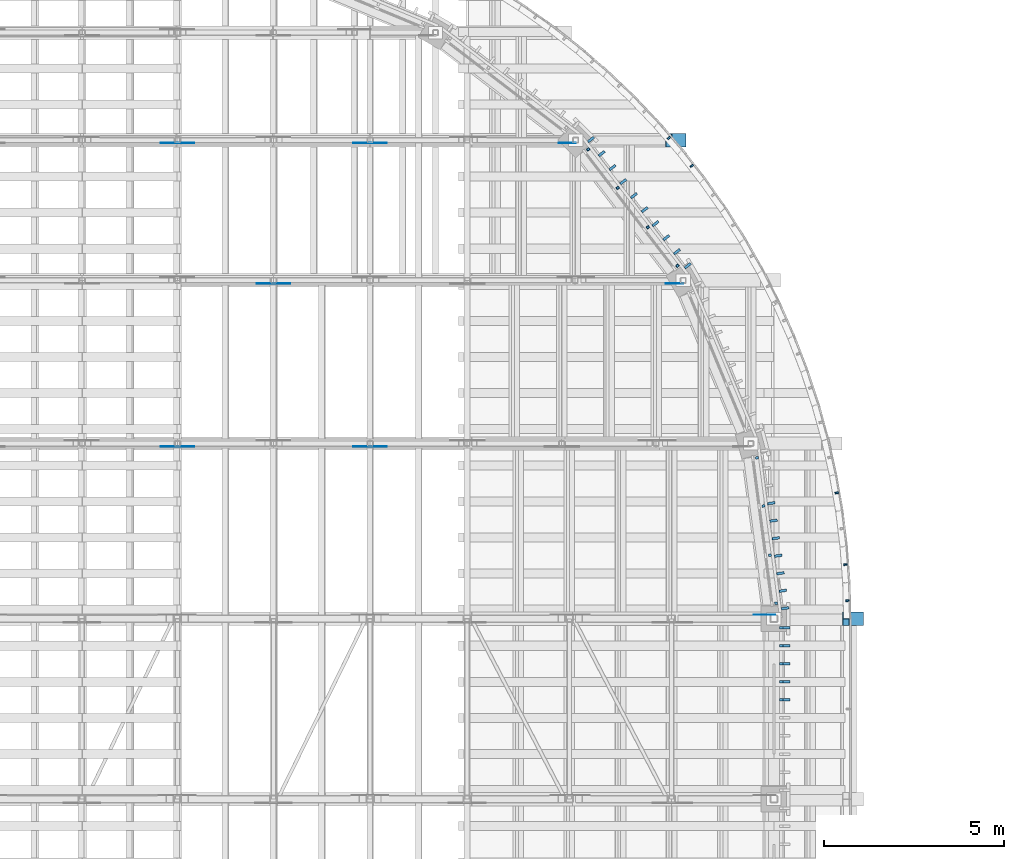
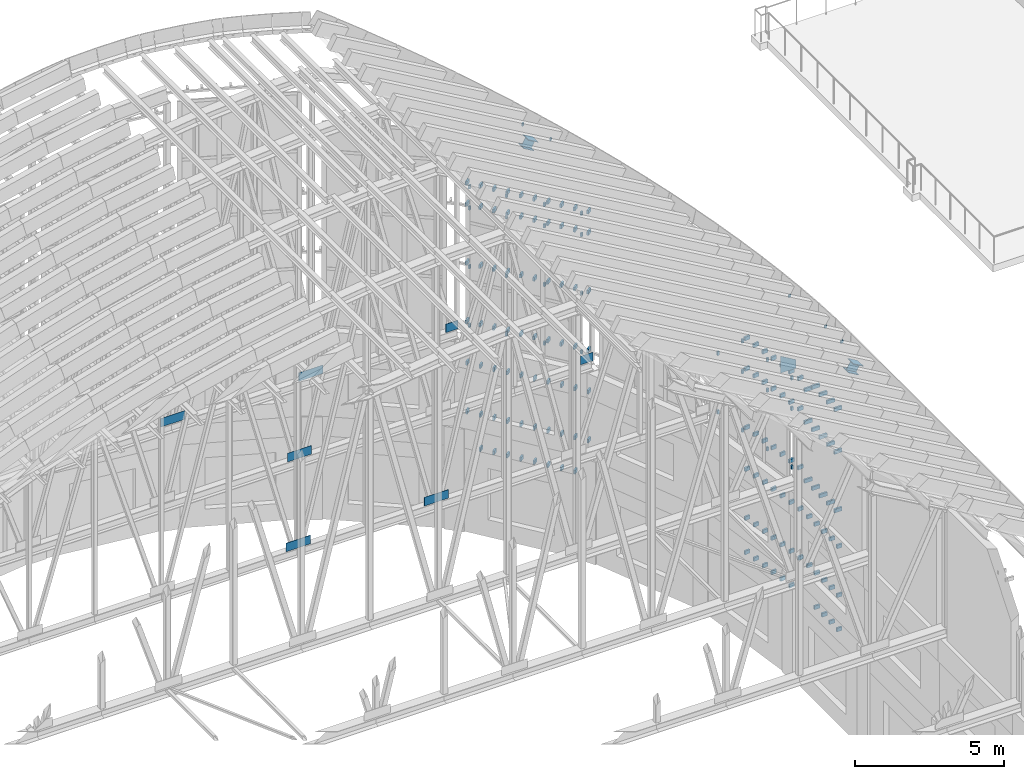
# One storey, part 77 of 105: 180 discrete accessories.
"""IFC4 building model written with IfcOpenShell, lengths in metres."""

import ifcopenshell
import ifcopenshell.guid

model = None  # the IFC model being written
_history = None  # IfcOwnerHistory: only IFC2X3 demands one
_inside = {}  # id of a spatial element -> (the spatial element, [elements in it])
_under = {}  # id of a project, library or spatial element -> (it, [spatial elements below it])
_declared = {}  # id of a project -> (the project, [libraries it declares])
_typed = {}  # id of a type object -> (the type object, [elements of that type])
_made_of = {}  # id of a material, layer set ... -> (it, [elements and type objects made of it])


def new_model(schema):
    """Start an empty IFC model of exactly this schema.

    Asked for "IFC4X3", IfcOpenShell would pick the latest addendum, in which some entities
    have other attributes; the version numbers below select the first issue.
    IFC2X3 requires an IfcOwnerHistory on every rooted entity: one is made here for all.
    """
    global model, _history
    if schema == "IFC4X3":
        model = ifcopenshell.file(schema_version=(4, 3, 0, 0))
    else:
        model = ifcopenshell.file(schema=schema)
    _inside.clear()
    _under.clear()
    _declared.clear()
    _typed.clear()
    _made_of.clear()
    _history = None
    if model.schema == "IFC2X3":
        org = make("IfcOrganization", Name="unknown")
        user = make(
            "IfcPersonAndOrganization",
            ThePerson=make("IfcPerson", FamilyName="unknown"),
            TheOrganization=org,
        )
        app = make(
            "IfcApplication",
            ApplicationDeveloper=org,
            Version="unknown",
            ApplicationFullName="unknown",
            ApplicationIdentifier="unknown",
        )
        _history = make(
            "IfcOwnerHistory",
            OwningUser=user,
            OwningApplication=app,
            ChangeAction="ADDED",
            CreationDate=0,
        )
    return model


def make(cls, **values):
    """One entity of the class cls with the attributes given. An attribute that is None is left unset."""
    return model.create_entity(
        cls, **{name: value for name, value in values.items() if value is not None}
    )


def rooted(cls, **values):
    """An entity with a GlobalId (a new one), such as an element, a storey or a relation."""
    return make(cls, GlobalId=ifcopenshell.guid.new(), OwnerHistory=_history, **values)


def si_unit(unit_type, name, prefix=None):
    """IfcSIUnit, for example si_unit("LENGTHUNIT", "METRE", prefix="MILLI")."""
    return make("IfcSIUnit", UnitType=unit_type, Prefix=prefix, Name=name)


def assignment(units):
    """IfcUnitAssignment: the units of a project."""
    return None if units is None else make("IfcUnitAssignment", Units=units)


def point(xyz):
    """IfcCartesianPoint."""
    return None if xyz is None else make("IfcCartesianPoint", Coordinates=xyz)


def direction(xyz):
    """IfcDirection."""
    return None if xyz is None else make("IfcDirection", DirectionRatios=xyz)


def frame(location, z_axis=None, x_axis=None):
    """IfcAxis2Placement3D, a coordinate frame: its origin and axes. An axis left out is left unset."""
    return make(
        "IfcAxis2Placement3D",
        Location=point(location),
        Axis=direction(z_axis),
        RefDirection=direction(x_axis),
    )


def frame_2d(location, x_axis=None):
    """IfcAxis2Placement2D, a coordinate frame in the plane: its origin and x axis."""
    return make(
        "IfcAxis2Placement2D", Location=point(location), RefDirection=direction(x_axis)
    )


def origin():
    """The frame at (0, 0, 0) with its axes left unset."""
    return frame((0.0, 0.0, 0.0))


def origin_2d():
    """The frame at (0, 0) in the plane with its x axis left unset."""
    return frame_2d((0.0, 0.0))


def place(relative_to, where):
    """IfcLocalPlacement: puts the frame where relative to a parent placement (None: the world)."""
    return make(
        "IfcLocalPlacement", PlacementRelTo=relative_to, RelativePlacement=where
    )


def context(
    kind, dimensions, precision=None, world=None, true_north=None, identifier=None
):
    """IfcGeometricRepresentationContext, for example the 3D "Model" context."""
    return make(
        "IfcGeometricRepresentationContext",
        ContextIdentifier=identifier,
        ContextType=kind,
        CoordinateSpaceDimension=dimensions,
        Precision=precision,
        WorldCoordinateSystem=world,
        TrueNorth=true_north,
    )


def subcontext(parent, identifier, kind, view, scale=None):
    """IfcGeometricRepresentationSubContext, for example "Body" below "Model"."""
    return make(
        "IfcGeometricRepresentationSubContext",
        ContextIdentifier=identifier,
        ContextType=kind,
        ParentContext=parent,
        TargetScale=scale,
        TargetView=view,
    )


def project(units=None, contexts=None):
    """IfcProject with its units and contexts."""
    return rooted(
        "IfcProject",
        Name="project",
        RepresentationContexts=contexts,
        UnitsInContext=assignment(units),
    )


def spatial(cls, under=None, at=None, **own):
    """A site, building, storey or space (cls), placed at a placement, below another one or the project."""
    s = rooted(cls, ObjectPlacement=at, **own)
    if under is not None:
        _under.setdefault(under.id(), (under, []))[1].append(s)
    return s


def polyline(points):
    """IfcPolyline through the points."""
    return make("IfcPolyline", Points=[point(p) for p in points])


def profile(cls, at=None, kind="AREA", **sizes):
    """A parametric profile (cls). Its sizes go by their IFC names, for example OverallWidth=200.0."""
    return make(cls, ProfileType=kind, Position=at, **sizes)


def rectangle(**sizes):
    """IfcRectangleProfileDef."""
    return profile("IfcRectangleProfileDef", **sizes)


def i_section(**sizes):
    """IfcIShapeProfileDef."""
    return profile("IfcIShapeProfileDef", **sizes)


def outline(outer, holes=None, kind="AREA"):
    """IfcArbitraryClosedProfileDef: a profile drawn as a closed curve; with holes, ...WithVoids."""
    if holes is None:
        return make("IfcArbitraryClosedProfileDef", ProfileType=kind, OuterCurve=outer)
    return make(
        "IfcArbitraryProfileDefWithVoids",
        ProfileType=kind,
        OuterCurve=outer,
        InnerCurves=holes,
    )


def extrude(swept, where, along, depth):
    """IfcExtrudedAreaSolid: the profile swept, set in the frame where, extruded along a direction by depth."""
    return make(
        "IfcExtrudedAreaSolid",
        SweptArea=swept,
        Position=where,
        ExtrudedDirection=direction(along),
        Depth=depth,
    )


def shape(context_of_items, identifier, shape_type, items):
    """IfcShapeRepresentation: the items that make up one representation, for example the "Body"."""
    return make(
        "IfcShapeRepresentation",
        ContextOfItems=context_of_items,
        RepresentationIdentifier=identifier,
        RepresentationType=shape_type,
        Items=items,
    )


def material(Name=None, Category=None):
    """IfcMaterial."""
    return make("IfcMaterial", Name=Name, Category=Category)


def material_profile(
    of_material, cross_section, Name=None, Category=None, Priority=None
):
    """IfcMaterialProfile: a cross section and its material."""
    return make(
        "IfcMaterialProfile",
        Name=Name,
        Material=of_material,
        Profile=cross_section,
        Priority=Priority,
        Category=Category,
    )


def profile_set(profiles, Name=None, composite=None):
    """IfcMaterialProfileSet."""
    return make(
        "IfcMaterialProfileSet",
        Name=Name,
        MaterialProfiles=profiles,
        CompositeProfile=composite,
    )


def made_of(thing, what):
    """Note that an element or type object is made of a material, layer set ...; save() writes the relation."""
    if what is not None:
        _made_of.setdefault(what.id(), (what, []))[1].append(thing)
    return thing


def type_object(cls, material=None, **own):
    """A type object (cls), such as IfcWallType, which elements share."""
    return made_of(rooted(cls, **own), material)


def element(
    cls,
    number,
    at=None,
    inside=None,
    cuts=None,
    type_object=None,
    material=None,
    context=None,
    identifier="Body",
    shape_type=None,
    held_by="IfcProductDefinitionShape",
    body=None,
    shapes=None,
    **own,
):
    """One element of the class cls, such as IfcWall. Its Tag is "e" and its number.

    at: its placement. inside: the storey or other place that contains it. cuts: it is an
    opening in that element (IfcRelVoidsElement). A single representation is given by context,
    identifier, shape_type and body (its items); several are given by shapes. held_by: the class
    of the entity that holds the representations. save() writes the other relations.
    """
    e = rooted(cls, Tag="e%d" % number, ObjectPlacement=at, **own)
    if body is not None:
        shapes = [shape(context, identifier, shape_type, body)]
    if shapes is not None:
        e.Representation = make(held_by, Representations=shapes)
    if inside is not None:
        _inside.setdefault(inside.id(), (inside, []))[1].append(e)
    if cuts is not None:
        rooted(
            "IfcRelVoidsElement", RelatingBuildingElement=cuts, RelatedOpeningElement=e
        )
    if type_object is not None:
        _typed.setdefault(type_object.id(), (type_object, []))[1].append(e)
    return made_of(e, material)


def aggregate(whole, parts):
    """IfcRelAggregates: a whole, such as a stair, and the parts it consists of."""
    return rooted("IfcRelAggregates", RelatingObject=whole, RelatedObjects=parts)


def save(model, path):
    """Write the relations noted so far, then the file.

    IfcRelAggregates (storeys below a building ...), IfcRelContainedInSpatialStructure (elements
    in a storey), IfcRelDefinesByType, IfcRelAssociatesMaterial and IfcRelDeclares: one each for
    every whole, place, type object, material and project.
    """
    for whole, parts in _under.values():
        aggregate(whole, parts)
    for where, things in _inside.values():
        rooted(
            "IfcRelContainedInSpatialStructure",
            RelatedElements=things,
            RelatingStructure=where,
        )
    for kind, things in _typed.values():
        rooted("IfcRelDefinesByType", RelatedObjects=things, RelatingType=kind)
    for what, things in _made_of.values():
        rooted("IfcRelAssociatesMaterial", RelatedObjects=things, RelatingMaterial=what)
    for by, libraries in _declared.values():
        rooted("IfcRelDeclares", RelatingContext=by, RelatedDefinitions=libraries)
    model.write(path)


model = new_model("IFC4")

# Units and contexts
model_context = context("Model", 3, precision=1e-05, world=origin(), true_north=direction((0.0, 1.0)))
body_context = subcontext(model_context, "Body", "Model", "MODEL_VIEW")
ifc_project = project(units=[si_unit("LENGTHUNIT", "METRE"), si_unit("AREAUNIT", "SQUARE_METRE"), si_unit("VOLUMEUNIT", "CUBIC_METRE"), si_unit("PLANEANGLEUNIT", "RADIAN"), si_unit("MASSUNIT", "GRAM", prefix="KILO")], contexts=[model_context])

# Site, building, storey
site_placement = place(None, origin())
site = spatial("IfcSite", under=ifc_project, at=site_placement, CompositionType="ELEMENT")
building_placement = place(site_placement, origin())
building = spatial("IfcBuilding", under=site, at=building_placement, Name="Wasatch Bagh Community Centre", CompositionType="ELEMENT")
storey_placement = place(building_placement, frame((0.0, 0.0, 16.800048828125)))
storey = spatial("IfcBuildingStorey", under=building, at=storey_placement, Name="L04", CompositionType="ELEMENT", Elevation=16.800048828125)

# Discrete accessories
ifc_material_1 = material(Name="ASTM A36 steel", Category="steel")
discrete_accessory_type_1 = type_object("IfcDiscreteAccessoryType", Name="MH fascia bracket", PredefinedType="BRACKET", material=ifc_material_1)
for number, where, z_axis, x_axis, name in (
    (1, (51.842529296875, 78.32080078125, 15.392578125), (0.0, 0.0, 1.0), (0.757208846506, 0.653172842954, 0.0), "Fascia bracket 145"),
    (2, (52.4775390625, 77.546875, 15.02685546875), (0.0, 0.0, 1.0), (0.788346427627, 0.615231590581, 0.0), "Fascia bracket 146"),
    (3, (56.49365234375, 68.486572265625, 12.7138671875), (0.0, 0.0, 1.0), (0.985277642389, 0.17096188876, 0.0), "Fascia bracket 157"),
    (4, (56.738525390625, 66.500244140625, 12.57275390625), (0.0, 0.0, 1.0), (0.997290456679, 0.0735645636, 0.0), "Fascia bracket 159"),
    (5, (56.787841796875, 65.50048828125, 12.54443359375), (0.0, 0.0, 1.0), (0.999698818696, 0.024541228523, 0.0), "Fascia bracket 160"),
):
    element("IfcDiscreteAccessory", number, at=place(storey_placement, frame(where, z_axis=z_axis, x_axis=x_axis)), inside=storey, type_object=discrete_accessory_type_1, Name=name, PredefinedType="BRACKET", context=body_context, shape_type="SweptSolid", body=[
        extrude(rectangle(XDim=0.10009765625, YDim=0.050048828125, at=origin_2d()), origin(), (0.0, 0.0, 1.0), 0.10009765625),
    ])
discrete_accessory_type_2 = type_object("IfcDiscreteAccessoryType", Name="MH fin bracket", PredefinedType="BRACKET", material=ifc_material_1)
for number, where, z_axis, x_axis, name in (
    (6, (55.10009765625, 62.75, 3.02490234375), (0.0, 0.0, 1.0), (0.0, 1.0, 0.0), "Fin bracket 18.6.4"),
    (7, (55.10009765625, 62.75, 4.425048828125), (0.0, 0.0, 1.0), (0.0, 1.0, 0.0), "Fin bracket 18.6.5"),
    (8, (55.10009765625, 62.75, 6.425048828125), (0.0, 0.0, 1.0), (0.0, 1.0, 0.0), "Fin bracket 18.6.6"),
    (9, (55.10009765625, 63.25, 3.02490234375), (0.0, 0.0, 1.0), (0.0, 1.0, 0.0), "Fin bracket 18.7.4"),
    (10, (55.10009765625, 63.25, 4.425048828125), (0.0, 0.0, 1.0), (0.0, 1.0, 0.0), "Fin bracket 18.7.5"),
    (11, (55.10009765625, 63.25, 6.425048828125), (0.0, 0.0, 1.0), (0.0, 1.0, 0.0), "Fin bracket 18.7.6"),
    (12, (55.10009765625, 63.75, 3.02490234375), (0.0, 0.0, 1.0), (0.0, 1.0, 0.0), "Fin bracket 18.8.4"),
    (13, (55.10009765625, 63.75, 4.425048828125), (0.0, 0.0, 1.0), (0.0, 1.0, 0.0), "Fin bracket 18.8.5"),
    (14, (55.10009765625, 63.75, 6.425048828125), (0.0, 0.0, 1.0), (0.0, 1.0, 0.0), "Fin bracket 18.8.6"),
    (15, (55.10009765625, 64.25, 3.02490234375), (0.0, 0.0, 1.0), (0.0, 1.0, 0.0), "Fin bracket 18.9.4"),
    (16, (55.10009765625, 64.25, 4.425048828125), (0.0, 0.0, 1.0), (0.0, 1.0, 0.0), "Fin bracket 18.9.5"),
    (17, (55.10009765625, 64.25, 6.425048828125), (0.0, 0.0, 1.0), (0.0, 1.0, 0.0), "Fin bracket 18.9.6"),
    (18, (55.10009765625, 64.75, 4.425048828125), (0.0, 0.0, 1.0), (0.0, 1.0, 0.0), "Fin bracket 18.10.5"),
    (19, (55.10009765625, 64.75, 6.425048828125), (0.0, 0.0, 1.0), (0.0, 1.0, 0.0), "Fin bracket 18.10.6"),
    (20, (55.06494140625, 65.288330078125, 4.425048828125), (0.0, 0.0, 1.0), (-0.13052619222, 0.991444861374, 0.0), "Fin bracket 19.1.5"),
    (21, (55.06494140625, 65.288330078125, 6.425048828125), (0.0, 0.0, 1.0), (-0.13052619222, 0.991444861374, 0.0), "Fin bracket 19.1.6"),
    (22, (55.001220703125, 65.773681640625, 3.02490234375), (0.0, 0.0, 1.0), (-0.13052619222, 0.991444861374, 0.0), "Fin bracket 19.2.4"),
    (23, (55.001220703125, 65.773681640625, 4.425048828125), (0.0, 0.0, 1.0), (-0.13052619222, 0.991444861374, 0.0), "Fin bracket 19.2.5"),
    (24, (55.001220703125, 65.773681640625, 6.425048828125), (0.0, 0.0, 1.0), (-0.13052619222, 0.991444861374, 0.0), "Fin bracket 19.2.6"),
    (25, (54.937255859375, 66.2587890625, 3.02490234375), (0.0, 0.0, 1.0), (-0.13052619222, 0.991444861374, 0.0), "Fin bracket 19.3.4"),
    (26, (54.937255859375, 66.2587890625, 4.425048828125), (0.0, 0.0, 1.0), (-0.13052619222, 0.991444861374, 0.0), "Fin bracket 19.3.5"),
    (27, (54.937255859375, 66.2587890625, 6.425048828125), (0.0, 0.0, 1.0), (-0.13052619222, 0.991444861374, 0.0), "Fin bracket 19.3.6"),
    (28, (54.873291015625, 66.744140625, 3.02490234375), (0.0, 0.0, 1.0), (-0.13052619222, 0.991444861374, 0.0), "Fin bracket 19.4.4"),
    (29, (54.873291015625, 66.744140625, 4.425048828125), (0.0, 0.0, 1.0), (-0.13052619222, 0.991444861374, 0.0), "Fin bracket 19.4.5"),
    (30, (54.873291015625, 66.744140625, 6.425048828125), (0.0, 0.0, 1.0), (-0.13052619222, 0.991444861374, 0.0), "Fin bracket 19.4.6"),
    (31, (54.8095703125, 67.2294921875, 3.02490234375), (0.0, 0.0, 1.0), (-0.13052619222, 0.991444861374, 0.0), "Fin bracket 19.5.4"),
    (32, (54.8095703125, 67.2294921875, 4.425048828125), (0.0, 0.0, 1.0), (-0.13052619222, 0.991444861374, 0.0), "Fin bracket 19.5.5"),
    (33, (54.8095703125, 67.2294921875, 6.425048828125), (0.0, 0.0, 1.0), (-0.13052619222, 0.991444861374, 0.0), "Fin bracket 19.5.6"),
    (34, (54.74560546875, 67.71484375, 3.02490234375), (0.0, 0.0, 1.0), (-0.13052619222, 0.991444861374, 0.0), "Fin bracket 19.6.4"),
    (35, (54.74560546875, 67.71484375, 4.425048828125), (0.0, 0.0, 1.0), (-0.13052619222, 0.991444861374, 0.0), "Fin bracket 19.6.5"),
    (36, (54.74560546875, 67.71484375, 6.425048828125), (0.0, 0.0, 1.0), (-0.13052619222, 0.991444861374, 0.0), "Fin bracket 19.6.6"),
    (37, (54.681640625, 68.199951171875, 3.02490234375), (0.0, 0.0, 1.0), (-0.13052619222, 0.991444861374, 0.0), "Fin bracket 19.7.4"),
    (38, (54.681640625, 68.199951171875, 4.425048828125), (0.0, 0.0, 1.0), (-0.13052619222, 0.991444861374, 0.0), "Fin bracket 19.7.5"),
    (39, (54.681640625, 68.199951171875, 6.425048828125), (0.0, 0.0, 1.0), (-0.13052619222, 0.991444861374, 0.0), "Fin bracket 19.7.6"),
    (40, (52.36669921875, 74.7822265625, 4.425048828125), (0.0, 0.0, 1.0), (-0.608761429009, 0.793353340291, 0.0), "Fin bracket 21.1.5"),
    (41, (52.36669921875, 74.7822265625, 6.425048828125), (0.0, 0.0, 1.0), (-0.608761429009, 0.793353340291, 0.0), "Fin bracket 21.1.6"),
    (42, (52.068603515625, 75.170654296875, 3.02490234375), (0.0, 0.0, 1.0), (-0.608761429009, 0.793353340291, 0.0), "Fin bracket 21.2.4"),
    (43, (52.068603515625, 75.170654296875, 4.425048828125), (0.0, 0.0, 1.0), (-0.608761429009, 0.793353340291, 0.0), "Fin bracket 21.2.5"),
    (44, (52.068603515625, 75.170654296875, 6.425048828125), (0.0, 0.0, 1.0), (-0.608761429009, 0.793353340291, 0.0), "Fin bracket 21.2.6"),
    (45, (51.770751953125, 75.558837890625, 3.02490234375), (0.0, 0.0, 1.0), (-0.608761429009, 0.793353340291, 0.0), "Fin bracket 21.3.4"),
    (46, (51.770751953125, 75.558837890625, 4.425048828125), (0.0, 0.0, 1.0), (-0.608761429009, 0.793353340291, 0.0), "Fin bracket 21.3.5"),
    (47, (51.770751953125, 75.558837890625, 6.425048828125), (0.0, 0.0, 1.0), (-0.608761429009, 0.793353340291, 0.0), "Fin bracket 21.3.6"),
    (48, (51.47265625, 75.947265625, 3.02490234375), (0.0, 0.0, 1.0), (-0.608761429009, 0.793353340291, 0.0), "Fin bracket 21.4.4"),
    (49, (51.47265625, 75.947265625, 4.425048828125), (0.0, 0.0, 1.0), (-0.608761429009, 0.793353340291, 0.0), "Fin bracket 21.4.5"),
    (50, (51.47265625, 75.947265625, 6.425048828125), (0.0, 0.0, 1.0), (-0.608761429009, 0.793353340291, 0.0), "Fin bracket 21.4.6"),
    (51, (51.1748046875, 76.33544921875, 3.02490234375), (0.0, 0.0, 1.0), (-0.608761429009, 0.793353340291, 0.0), "Fin bracket 21.5.4"),
    (52, (51.1748046875, 76.33544921875, 4.425048828125), (0.0, 0.0, 1.0), (-0.608761429009, 0.793353340291, 0.0), "Fin bracket 21.5.5"),
    (53, (51.1748046875, 76.33544921875, 6.425048828125), (0.0, 0.0, 1.0), (-0.608761429009, 0.793353340291, 0.0), "Fin bracket 21.5.6"),
    (54, (50.876708984375, 76.723876953125, 3.02490234375), (0.0, 0.0, 1.0), (-0.608761429009, 0.793353340291, 0.0), "Fin bracket 21.6.4"),
    (55, (50.876708984375, 76.723876953125, 4.425048828125), (0.0, 0.0, 1.0), (-0.608761429009, 0.793353340291, 0.0), "Fin bracket 21.6.5"),
    (56, (50.876708984375, 76.723876953125, 6.425048828125), (0.0, 0.0, 1.0), (-0.608761429009, 0.793353340291, 0.0), "Fin bracket 21.6.6"),
    (57, (50.578857421875, 77.112060546875, 3.02490234375), (0.0, 0.0, 1.0), (-0.608761429009, 0.793353340291, 0.0), "Fin bracket 21.7.4"),
    (58, (50.578857421875, 77.112060546875, 4.425048828125), (0.0, 0.0, 1.0), (-0.608761429009, 0.793353340291, 0.0), "Fin bracket 21.7.5"),
    (59, (50.578857421875, 77.112060546875, 6.425048828125), (0.0, 0.0, 1.0), (-0.608761429009, 0.793353340291, 0.0), "Fin bracket 21.7.6"),
    (60, (50.28076171875, 77.50048828125, 3.02490234375), (0.0, 0.0, 1.0), (-0.608761429009, 0.793353340291, 0.0), "Fin bracket 21.8.4"),
    (61, (50.28076171875, 77.50048828125, 4.425048828125), (0.0, 0.0, 1.0), (-0.608761429009, 0.793353340291, 0.0), "Fin bracket 21.8.5"),
    (62, (50.28076171875, 77.50048828125, 6.425048828125), (0.0, 0.0, 1.0), (-0.608761429009, 0.793353340291, 0.0), "Fin bracket 21.8.6"),
    (63, (49.98291015625, 77.888916015625, 3.02490234375), (0.0, 0.0, 1.0), (-0.608761429009, 0.793353340291, 0.0), "Fin bracket 21.9.4"),
    (64, (49.98291015625, 77.888916015625, 4.425048828125), (0.0, 0.0, 1.0), (-0.608761429009, 0.793353340291, 0.0), "Fin bracket 21.9.5"),
    (65, (49.98291015625, 77.888916015625, 6.425048828125), (0.0, 0.0, 1.0), (-0.608761429009, 0.793353340291, 0.0), "Fin bracket 21.9.6"),
    (66, (49.684814453125, 78.277099609375, 4.425048828125), (0.0, 0.0, 1.0), (-0.608761429009, 0.793353340291, 0.0), "Fin bracket 21.10.5"),
    (67, (49.684814453125, 78.277099609375, 6.425048828125), (0.0, 0.0, 1.0), (-0.608761429009, 0.793353340291, 0.0), "Fin bracket 21.10.6"),
):
    element("IfcDiscreteAccessory", number, at=place(storey_placement, frame(where, z_axis=z_axis, x_axis=x_axis)), inside=storey, type_object=discrete_accessory_type_2, Name=name, PredefinedType="BRACKET", context=body_context, shape_type="SweptSolid", body=[
        extrude(rectangle(XDim=0.070068359375, YDim=0.199951171875, at=origin_2d()), origin(), (0.0, 0.0, 1.0), 0.14990234375),
    ])
discrete_accessory_type_3 = type_object("IfcDiscreteAccessoryType", Name="MH fin bracket (rail)", PredefinedType="BRACKET", material=ifc_material_1)
for number, where, z_axis, x_axis, name in (
    (68, (55.06005859375, 65.28759765625, 8.125), (0.0, 0.0, 1.0), (-0.13052619222, 0.991444861374, 0.0), "Fin bracket 19.1.r1"),
    (69, (54.99609375, 65.77294921875, 8.125), (0.0, 0.0, 1.0), (-0.13052619222, 0.991444861374, 0.0), "Fin bracket 19.2.r1"),
    (70, (54.932373046875, 66.25830078125, 8.125), (0.0, 0.0, 1.0), (-0.13052619222, 0.991444861374, 0.0), "Fin bracket 19.3.r1"),
    (71, (54.868408203125, 66.74365234375, 8.125), (0.0, 0.0, 1.0), (-0.13052619222, 0.991444861374, 0.0), "Fin bracket 19.4.r1"),
    (72, (54.804443359375, 67.228759765625, 8.125), (0.0, 0.0, 1.0), (-0.13052619222, 0.991444861374, 0.0), "Fin bracket 19.5.r1"),
    (73, (54.74072265625, 67.714111328125, 8.125), (0.0, 0.0, 1.0), (-0.13052619222, 0.991444861374, 0.0), "Fin bracket 19.6.r1"),
    (74, (54.6767578125, 68.199462890625, 8.125), (0.0, 0.0, 1.0), (-0.13052619222, 0.991444861374, 0.0), "Fin bracket 19.7.r1"),
    (75, (55.06005859375, 65.28759765625, 10.52490234375), (0.0, 0.0, 1.0), (-0.13052619222, 0.991444861374, 0.0), "Fin bracket 19.1.r2"),
    (76, (54.99609375, 65.77294921875, 10.52490234375), (0.0, 0.0, 1.0), (-0.13052619222, 0.991444861374, 0.0), "Fin bracket 19.2.r2"),
    (77, (54.932373046875, 66.25830078125, 10.52490234375), (0.0, 0.0, 1.0), (-0.13052619222, 0.991444861374, 0.0), "Fin bracket 19.3.r2"),
    (78, (54.868408203125, 66.74365234375, 10.52490234375), (0.0, 0.0, 1.0), (-0.13052619222, 0.991444861374, 0.0), "Fin bracket 19.4.r2"),
    (79, (54.804443359375, 67.228759765625, 10.52490234375), (0.0, 0.0, 1.0), (-0.13052619222, 0.991444861374, 0.0), "Fin bracket 19.5.r2"),
    (80, (54.74072265625, 67.714111328125, 10.52490234375), (0.0, 0.0, 1.0), (-0.13052619222, 0.991444861374, 0.0), "Fin bracket 19.6.r2"),
    (81, (54.6767578125, 68.199462890625, 10.52490234375), (0.0, 0.0, 1.0), (-0.13052619222, 0.991444861374, 0.0), "Fin bracket 19.7.r2"),
    (82, (55.06005859375, 65.28759765625, 11.77490234375), (0.0, 0.0, 1.0), (-0.13052619222, 0.991444861374, 0.0), "Fin bracket 19.1.r3"),
    (83, (54.99609375, 65.77294921875, 11.77490234375), (0.0, 0.0, 1.0), (-0.13052619222, 0.991444861374, 0.0), "Fin bracket 19.2.r3"),
    (84, (54.932373046875, 66.25830078125, 11.77490234375), (0.0, 0.0, 1.0), (-0.13052619222, 0.991444861374, 0.0), "Fin bracket 19.3.r3"),
    (85, (54.868408203125, 66.74365234375, 11.77490234375), (0.0, 0.0, 1.0), (-0.13052619222, 0.991444861374, 0.0), "Fin bracket 19.4.r3"),
    (86, (54.804443359375, 67.228759765625, 11.77490234375), (0.0, 0.0, 1.0), (-0.13052619222, 0.991444861374, 0.0), "Fin bracket 19.5.r3"),
    (87, (54.74072265625, 67.714111328125, 11.77490234375), (0.0, 0.0, 1.0), (-0.13052619222, 0.991444861374, 0.0), "Fin bracket 19.6.r3"),
    (88, (54.6767578125, 68.199462890625, 11.77490234375), (0.0, 0.0, 1.0), (-0.13052619222, 0.991444861374, 0.0), "Fin bracket 19.7.r3"),
    (89, (52.36279296875, 74.779296875, 8.125), (0.0, 0.0, 1.0), (-0.608761429009, 0.793353340291, 0.0), "Fin bracket 21.1.r1"),
    (90, (52.064697265625, 75.16748046875, 8.125), (0.0, 0.0, 1.0), (-0.608761429009, 0.793353340291, 0.0), "Fin bracket 21.2.r1"),
    (91, (51.766845703125, 75.555908203125, 8.125), (0.0, 0.0, 1.0), (-0.608761429009, 0.793353340291, 0.0), "Fin bracket 21.3.r1"),
    (92, (51.46875, 75.944091796875, 8.125), (0.0, 0.0, 1.0), (-0.608761429009, 0.793353340291, 0.0), "Fin bracket 21.4.r1"),
    (93, (51.1708984375, 76.33251953125, 8.125), (0.0, 0.0, 1.0), (-0.608761429009, 0.793353340291, 0.0), "Fin bracket 21.5.r1"),
    (94, (50.872802734375, 76.720703125, 8.125), (0.0, 0.0, 1.0), (-0.608761429009, 0.793353340291, 0.0), "Fin bracket 21.6.r1"),
    (95, (50.574951171875, 77.109130859375, 8.125), (0.0, 0.0, 1.0), (-0.608761429009, 0.793353340291, 0.0), "Fin bracket 21.7.r1"),
    (96, (50.27685546875, 77.49755859375, 8.125), (0.0, 0.0, 1.0), (-0.608761429009, 0.793353340291, 0.0), "Fin bracket 21.8.r1"),
    (97, (49.97900390625, 77.8857421875, 8.125), (0.0, 0.0, 1.0), (-0.608761429009, 0.793353340291, 0.0), "Fin bracket 21.9.r1"),
    (98, (49.680908203125, 78.274169921875, 8.125), (0.0, 0.0, 1.0), (-0.608761429009, 0.793353340291, 0.0), "Fin bracket 21.10.r1"),
    (99, (52.36279296875, 74.779296875, 10.52490234375), (0.0, 0.0, 1.0), (-0.608761429009, 0.793353340291, 0.0), "Fin bracket 21.1.r2"),
    (100, (52.064697265625, 75.16748046875, 10.52490234375), (0.0, 0.0, 1.0), (-0.608761429009, 0.793353340291, 0.0), "Fin bracket 21.2.r2"),
    (101, (51.766845703125, 75.555908203125, 10.52490234375), (0.0, 0.0, 1.0), (-0.608761429009, 0.793353340291, 0.0), "Fin bracket 21.3.r2"),
    (102, (51.46875, 75.944091796875, 10.52490234375), (0.0, 0.0, 1.0), (-0.608761429009, 0.793353340291, 0.0), "Fin bracket 21.4.r2"),
    (103, (51.1708984375, 76.33251953125, 10.52490234375), (0.0, 0.0, 1.0), (-0.608761429009, 0.793353340291, 0.0), "Fin bracket 21.5.r2"),
    (104, (50.872802734375, 76.720703125, 10.52490234375), (0.0, 0.0, 1.0), (-0.608761429009, 0.793353340291, 0.0), "Fin bracket 21.6.r2"),
    (105, (50.574951171875, 77.109130859375, 10.52490234375), (0.0, 0.0, 1.0), (-0.608761429009, 0.793353340291, 0.0), "Fin bracket 21.7.r2"),
    (106, (50.27685546875, 77.49755859375, 10.52490234375), (0.0, 0.0, 1.0), (-0.608761429009, 0.793353340291, 0.0), "Fin bracket 21.8.r2"),
    (107, (49.97900390625, 77.8857421875, 10.52490234375), (0.0, 0.0, 1.0), (-0.608761429009, 0.793353340291, 0.0), "Fin bracket 21.9.r2"),
    (108, (49.680908203125, 78.274169921875, 10.52490234375), (0.0, 0.0, 1.0), (-0.608761429009, 0.793353340291, 0.0), "Fin bracket 21.10.r2"),
    (109, (52.36279296875, 74.779296875, 12.925048828125), (0.0, 0.0, 1.0), (-0.608761429009, 0.793353340291, 0.0), "Fin bracket 21.1.r3"),
    (110, (52.064697265625, 75.16748046875, 12.925048828125), (0.0, 0.0, 1.0), (-0.608761429009, 0.793353340291, 0.0), "Fin bracket 21.2.r3"),
    (111, (51.766845703125, 75.555908203125, 12.925048828125), (0.0, 0.0, 1.0), (-0.608761429009, 0.793353340291, 0.0), "Fin bracket 21.3.r3"),
    (112, (51.46875, 75.944091796875, 12.925048828125), (0.0, 0.0, 1.0), (-0.608761429009, 0.793353340291, 0.0), "Fin bracket 21.4.r3"),
    (113, (51.1708984375, 76.33251953125, 12.925048828125), (0.0, 0.0, 1.0), (-0.608761429009, 0.793353340291, 0.0), "Fin bracket 21.5.r3"),
    (114, (50.872802734375, 76.720703125, 12.925048828125), (0.0, 0.0, 1.0), (-0.608761429009, 0.793353340291, 0.0), "Fin bracket 21.6.r3"),
    (115, (50.574951171875, 77.109130859375, 12.925048828125), (0.0, 0.0, 1.0), (-0.608761429009, 0.793353340291, 0.0), "Fin bracket 21.7.r3"),
    (116, (50.27685546875, 77.49755859375, 12.925048828125), (0.0, 0.0, 1.0), (-0.608761429009, 0.793353340291, 0.0), "Fin bracket 21.8.r3"),
    (117, (49.97900390625, 77.8857421875, 12.925048828125), (0.0, 0.0, 1.0), (-0.608761429009, 0.793353340291, 0.0), "Fin bracket 21.9.r3"),
    (118, (49.680908203125, 78.274169921875, 12.925048828125), (0.0, 0.0, 1.0), (-0.608761429009, 0.793353340291, 0.0), "Fin bracket 21.10.r3"),
    (119, (52.36279296875, 74.779296875, 13.794921875), (0.0, 0.0, 1.0), (-0.608761429009, 0.793353340291, 0.0), "Fin bracket 21.1.r4"),
    (120, (52.064697265625, 75.16748046875, 13.794921875), (0.0, 0.0, 1.0), (-0.608761429009, 0.793353340291, 0.0), "Fin bracket 21.2.r4"),
    (121, (51.766845703125, 75.555908203125, 13.794921875), (0.0, 0.0, 1.0), (-0.608761429009, 0.793353340291, 0.0), "Fin bracket 21.3.r4"),
    (122, (51.46875, 75.944091796875, 13.794921875), (0.0, 0.0, 1.0), (-0.608761429009, 0.793353340291, 0.0), "Fin bracket 21.4.r4"),
    (123, (51.1708984375, 76.33251953125, 13.794921875), (0.0, 0.0, 1.0), (-0.608761429009, 0.793353340291, 0.0), "Fin bracket 21.5.r4"),
    (124, (50.872802734375, 76.720703125, 13.794921875), (0.0, 0.0, 1.0), (-0.608761429009, 0.793353340291, 0.0), "Fin bracket 21.6.r4"),
    (125, (50.574951171875, 77.109130859375, 13.794921875), (0.0, 0.0, 1.0), (-0.608761429009, 0.793353340291, 0.0), "Fin bracket 21.7.r4"),
    (126, (50.27685546875, 77.49755859375, 13.794921875), (0.0, 0.0, 1.0), (-0.608761429009, 0.793353340291, 0.0), "Fin bracket 21.8.r4"),
    (127, (49.97900390625, 77.8857421875, 13.794921875), (0.0, 0.0, 1.0), (-0.608761429009, 0.793353340291, 0.0), "Fin bracket 21.9.r4"),
    (128, (49.680908203125, 78.274169921875, 13.794921875), (0.0, 0.0, 1.0), (-0.608761429009, 0.793353340291, 0.0), "Fin bracket 21.10.r4"),
):
    element("IfcDiscreteAccessory", number, at=place(storey_placement, frame(where, z_axis=z_axis, x_axis=x_axis)), inside=storey, type_object=discrete_accessory_type_3, Name=name, PredefinedType="BRACKET", context=body_context, shape_type="SweptSolid", body=[
        extrude(rectangle(XDim=0.070068359375, YDim=0.2099609375, at=origin_2d()), origin(), (0.0, 0.0, 1.0), 0.14990234375),
    ])
discrete_accessory_type_4 = type_object("IfcDiscreteAccessoryType", Name="MH fin bracket (upstand)", PredefinedType="BRACKET", material=ifc_material_1)
for number, where, z_axis, x_axis, name in (
    (129, (55.050048828125, 62.75, 7.925048828125), (0.0, 0.0, 1.0), (0.0, 1.0, 0.0), "Fin bracket 18.6.7"),
    (130, (55.050048828125, 62.75, 10.324951171875), (0.0, 0.0, 1.0), (0.0, 1.0, 0.0), "Fin bracket 18.6.8"),
    (131, (55.050048828125, 62.75, 12.06494140625), (0.0, 0.0, 1.0), (0.0, 1.0, 0.0), "Fin bracket 18.6.9"),
    (132, (55.050048828125, 63.25, 7.925048828125), (0.0, 0.0, 1.0), (0.0, 1.0, 0.0), "Fin bracket 18.7.7"),
    (133, (55.050048828125, 63.25, 10.324951171875), (0.0, 0.0, 1.0), (0.0, 1.0, 0.0), "Fin bracket 18.7.8"),
    (134, (55.050048828125, 63.25, 12.06494140625), (0.0, 0.0, 1.0), (0.0, 1.0, 0.0), "Fin bracket 18.7.9"),
    (135, (55.050048828125, 63.75, 7.925048828125), (0.0, 0.0, 1.0), (0.0, 1.0, 0.0), "Fin bracket 18.8.7"),
    (136, (55.050048828125, 63.75, 10.324951171875), (0.0, 0.0, 1.0), (0.0, 1.0, 0.0), "Fin bracket 18.8.8"),
    (137, (55.050048828125, 63.75, 12.06494140625), (0.0, 0.0, 1.0), (0.0, 1.0, 0.0), "Fin bracket 18.8.9"),
    (138, (55.050048828125, 64.25, 7.925048828125), (0.0, 0.0, 1.0), (0.0, 1.0, 0.0), "Fin bracket 18.9.7"),
    (139, (55.050048828125, 64.25, 10.324951171875), (0.0, 0.0, 1.0), (0.0, 1.0, 0.0), "Fin bracket 18.9.8"),
    (140, (55.050048828125, 64.25, 12.06494140625), (0.0, 0.0, 1.0), (0.0, 1.0, 0.0), "Fin bracket 18.9.9"),
    (141, (55.050048828125, 64.75, 7.925048828125), (0.0, 0.0, 1.0), (0.0, 1.0, 0.0), "Fin bracket 18.10.7"),
    (142, (55.050048828125, 64.75, 10.324951171875), (0.0, 0.0, 1.0), (0.0, 1.0, 0.0), "Fin bracket 18.10.8"),
    (143, (55.050048828125, 64.75, 11.64501953125), (0.0, 0.0, 1.0), (0.0, 1.0, 0.0), "Fin bracket 18.10.9"),
):
    element("IfcDiscreteAccessory", number, at=place(storey_placement, frame(where, z_axis=z_axis, x_axis=x_axis)), inside=storey, type_object=discrete_accessory_type_4, Name=name, PredefinedType="BRACKET", context=body_context, shape_type="SweptSolid", body=[
        extrude(rectangle(XDim=0.070068359375, YDim=0.300048828125, at=origin_2d()), origin(), (0.0, 0.0, 1.0), 0.14990234375),
    ])
discrete_accessory_type_5 = type_object("IfcDiscreteAccessoryType", Name="MH fin rail stand-off", PredefinedType="BRACKET", material=ifc_material_1)
for number, where, z_axis, x_axis, name in (
    (144, (54.814697265625, 65.428466796875, 8.125), (0.0, 0.0, 1.0), (-0.13052619222, 0.991444861374, 0.0), "Rail stand-off 19.1.1"),
    (145, (54.63916015625, 66.760986328125, 8.125), (0.0, 0.0, 1.0), (-0.13052619222, 0.991444861374, 0.0), "Rail stand-off 19.1.2"),
    (146, (54.4599609375, 68.123291015625, 8.125), (0.0, 0.0, 1.0), (-0.13052619222, 0.991444861374, 0.0), "Rail stand-off 19.1.3"),
    (147, (54.284423828125, 69.45556640625, 8.125), (0.0, 0.0, 1.0), (-0.13052619222, 0.991444861374, 0.0), "Rail stand-off 19.1.4"),
    (148, (54.814697265625, 65.428466796875, 10.52490234375), (0.0, 0.0, 1.0), (-0.13052619222, 0.991444861374, 0.0), "Rail stand-off 19.2.1"),
    (149, (54.63916015625, 66.760986328125, 10.52490234375), (0.0, 0.0, 1.0), (-0.13052619222, 0.991444861374, 0.0), "Rail stand-off 19.2.2"),
    (150, (54.4599609375, 68.123291015625, 10.52490234375), (0.0, 0.0, 1.0), (-0.13052619222, 0.991444861374, 0.0), "Rail stand-off 19.2.3"),
    (151, (54.284423828125, 69.45556640625, 10.52490234375), (0.0, 0.0, 1.0), (-0.13052619222, 0.991444861374, 0.0), "Rail stand-off 19.2.4"),
    (152, (54.814697265625, 65.428466796875, 11.77490234375), (0.0, 0.0, 1.0), (-0.13052619222, 0.991444861374, 0.0), "Rail stand-off 19.3.1"),
    (153, (54.63916015625, 66.760986328125, 11.77490234375), (0.0, 0.0, 1.0), (-0.13052619222, 0.991444861374, 0.0), "Rail stand-off 19.3.2"),
    (154, (54.4599609375, 68.123291015625, 11.77490234375), (0.0, 0.0, 1.0), (-0.13052619222, 0.991444861374, 0.0), "Rail stand-off 19.3.3"),
    (155, (52.07958984375, 74.7783203125, 8.125), (0.0, 0.0, 1.0), (-0.608761429009, 0.793353340291, 0.0), "Rail stand-off 21.1.1"),
    (156, (51.261474609375, 75.8447265625, 8.125), (0.0, 0.0, 1.0), (-0.608761429009, 0.793353340291, 0.0), "Rail stand-off 21.1.2"),
    (157, (50.425048828125, 76.934814453125, 8.125), (0.0, 0.0, 1.0), (-0.608761429009, 0.793353340291, 0.0), "Rail stand-off 21.1.3"),
    (158, (49.60693359375, 78.0009765625, 8.125), (0.0, 0.0, 1.0), (-0.608761429009, 0.793353340291, 0.0), "Rail stand-off 21.1.4"),
    (159, (52.07958984375, 74.7783203125, 10.52490234375), (0.0, 0.0, 1.0), (-0.608761429009, 0.793353340291, 0.0), "Rail stand-off 21.2.1"),
    (160, (51.261474609375, 75.8447265625, 10.52490234375), (0.0, 0.0, 1.0), (-0.608761429009, 0.793353340291, 0.0), "Rail stand-off 21.2.2"),
    (161, (50.425048828125, 76.934814453125, 10.52490234375), (0.0, 0.0, 1.0), (-0.608761429009, 0.793353340291, 0.0), "Rail stand-off 21.2.3"),
    (162, (49.60693359375, 78.0009765625, 10.52490234375), (0.0, 0.0, 1.0), (-0.608761429009, 0.793353340291, 0.0), "Rail stand-off 21.2.4"),
    (163, (52.07958984375, 74.7783203125, 12.925048828125), (0.0, 0.0, 1.0), (-0.608761429009, 0.793353340291, 0.0), "Rail stand-off 21.3.1"),
    (164, (51.261474609375, 75.8447265625, 12.925048828125), (0.0, 0.0, 1.0), (-0.608761429009, 0.793353340291, 0.0), "Rail stand-off 21.3.2"),
    (165, (50.425048828125, 76.934814453125, 12.925048828125), (0.0, 0.0, 1.0), (-0.608761429009, 0.793353340291, 0.0), "Rail stand-off 21.3.3"),
    (166, (49.60693359375, 78.0009765625, 12.925048828125), (0.0, 0.0, 1.0), (-0.608761429009, 0.793353340291, 0.0), "Rail stand-off 21.3.4"),
    (167, (52.07958984375, 74.7783203125, 13.794921875), (0.0, 0.0, 1.0), (-0.608761429009, 0.793353340291, 0.0), "Rail stand-off 21.4.1"),
    (168, (51.261474609375, 75.8447265625, 13.794921875), (0.0, 0.0, 1.0), (-0.608761429009, 0.793353340291, 0.0), "Rail stand-off 21.4.2"),
    (169, (50.425048828125, 76.934814453125, 13.794921875), (0.0, 0.0, 1.0), (-0.608761429009, 0.793353340291, 0.0), "Rail stand-off 21.4.3"),
    (170, (49.60693359375, 78.0009765625, 13.794921875), (0.0, 0.0, 1.0), (-0.608761429009, 0.793353340291, 0.0), "Rail stand-off 21.4.4"),
):
    element("IfcDiscreteAccessory", number, at=place(storey_placement, frame(where, z_axis=z_axis, x_axis=x_axis)), inside=storey, type_object=discrete_accessory_type_5, Name=name, PredefinedType="BRACKET", context=body_context, shape_type="SweptSolid", body=[
        extrude(rectangle(XDim=0.070068359375, YDim=0.080078125, at=origin_2d()), origin(), (0.0, 0.0, 1.0), 0.14990234375),
    ])
ifc_material_2 = material(Name="ASTM A992 Grade 50 steel", Category="steel")
ifc_material_profile_1 = material_profile(ifc_material_2, i_section(OverallWidth=0.373291015625, OverallDepth=0.368408203125, WebThickness=0.014892578125, FlangeThickness=0.02392578125, at=origin_2d()), Name="W14x120")
ifc_profile_set_1 = profile_set([ifc_material_profile_1], Name="ASTM A992 Grade 50 steel")
discrete_accessory_type_6 = type_object("IfcDiscreteAccessoryType", Name="MH steel truss tail W14x120", PredefinedType="BRACKET", material=ifc_profile_set_1)
discrete_accessory_1_placement = place(storey_placement, frame((56.75, 65.0, 11.925048828125), z_axis=(0.866131372301, 0.0, -0.499816412211), x_axis=(0.0, 1.0, 0.0)))
element("IfcDiscreteAccessory", 171, at=discrete_accessory_1_placement, inside=storey, type_object=discrete_accessory_type_6, Name="Truss tail TA7", PredefinedType="BRACKET", context=body_context, shape_type="SweptSolid", body=[
    extrude(i_section(OverallWidth=0.373291015625, OverallDepth=0.368408203125, WebThickness=0.014892578125, FlangeThickness=0.02392578125, at=origin_2d()), origin(), (0.0, 0.0, 1.0), 0.449951171875),
])
ifc_material_profile_2 = material_profile(ifc_material_2, i_section(OverallWidth=0.368408203125, OverallDepth=0.355712890625, WebThickness=0.01123046875, FlangeThickness=0.01806640625, at=origin_2d()), Name="W14x90")
ifc_profile_set_2 = profile_set([ifc_material_profile_2], Name="ASTM A992 Grade 50 steel")
discrete_accessory_type_7 = type_object("IfcDiscreteAccessoryType", Name="MH steel truss tail W14x90", PredefinedType="BRACKET", material=ifc_profile_set_2)
discrete_accessory_2_placement = place(storey_placement, frame((51.83837890625, 78.25830078125, 14.768310546875), z_axis=(0.865896406789, 0.0, -0.500223362819), x_axis=(0.0, 1.0, 0.0)))
element("IfcDiscreteAccessory", 172, at=discrete_accessory_2_placement, inside=storey, type_object=discrete_accessory_type_7, Name="Truss tail TN3", PredefinedType="BRACKET", context=body_context, shape_type="SweptSolid", body=[
    extrude(i_section(OverallWidth=0.368408203125, OverallDepth=0.355712890625, WebThickness=0.01123046875, FlangeThickness=0.01806640625, at=origin_2d()), origin(), (0.0, 0.0, 1.0), 0.449951171875),
])
discrete_accessory_3_placement = place(storey_placement, frame((54.190673828125, 65.114013671875, 13.148193359375), z_axis=(0.0, 1.0, 0.0), x_axis=(0.863026486211, 0.0, -0.505158672199)))
element("IfcDiscreteAccessory", 173, at=discrete_accessory_3_placement, inside=storey, Name="Gusset plate", PredefinedType="BRACKET", context=body_context, shape_type="SweptSolid", body=[
    extrude(outline(polyline([(0.0, 0.0), (0.6480985008127054, 5.551115123125783e-17), (0.6951609877723173, 0.00017584376551971204), (0.8718925251897516, 0.3021086940439254), (0.35420305335859825, 0.605129899511222), (0.0, 0.0)])), origin(), (0.0, 0.0, -1.0), 0.011962890625),
])
discrete_accessory_4_placement = place(storey_placement, frame((37.75732421875, 69.76416015625, 8.071044921875), z_axis=(0.0, -1.0, 0.0), x_axis=(1.0, 0.0, 0.0)))
element("IfcDiscreteAccessory", 174, at=discrete_accessory_4_placement, inside=storey, Name="Gusset plate", PredefinedType="BRACKET", context=body_context, shape_type="SweptSolid", body=[
    extrude(outline(polyline([(0.0, 0.0), (0.933837890625, 0.0), (0.933837890625, 0.35009765625), (0.0, 0.35009765625), (0.0, 0.0)])), origin(), (0.0, 0.0, -1.0), 0.011962890625),
])
discrete_accessory_5_placement = place(storey_placement, frame((43.10107421875, 69.76416015625, 8.071044921875), z_axis=(0.0, -1.0, 0.0), x_axis=(1.0, 0.0, 0.0)))
element("IfcDiscreteAccessory", 175, at=discrete_accessory_5_placement, inside=storey, Name="Gusset plate", PredefinedType="BRACKET", context=body_context, shape_type="SweptSolid", body=[
    extrude(outline(polyline([(0.0, 0.0), (0.928466796875, 0.0), (0.928466796875, 0.35009765625), (0.0, 0.35009765625), (0.0, 0.0)])), origin(), (0.0, 0.0, -1.0), 0.011962890625),
])
discrete_accessory_6_placement = place(storey_placement, frame((40.42236328125, 74.286376953125, 8.071044921875), z_axis=(0.0, -1.0, 0.0), x_axis=(1.0, 0.0, 0.0)))
element("IfcDiscreteAccessory", 176, at=discrete_accessory_6_placement, inside=storey, Name="Gusset plate", PredefinedType="BRACKET", context=body_context, shape_type="SweptSolid", body=[
    extrude(outline(polyline([(0.0, 0.0), (0.9306640625, 0.0), (0.9306640625, 0.35009765625), (0.0, 0.35009765625), (0.0, 0.0)])), origin(), (0.0, 0.0, -1.0), 0.011962890625),
])
discrete_accessory_7_placement = place(storey_placement, frame((51.753662109375, 74.286376953125, 8.071044921875), z_axis=(0.0, -1.0, 0.0), x_axis=(1.0, 0.0, 0.0)))
element("IfcDiscreteAccessory", 177, at=discrete_accessory_7_placement, inside=storey, Name="Gusset plate", PredefinedType="BRACKET", context=body_context, shape_type="SweptSolid", body=[
    extrude(outline(polyline([(0.0, 0.0), (0.484375, 0.0), (0.484375, 0.35009765625), (0.0, 0.35009765625), (0.0, 0.0)])), origin(), (0.0, 0.0, -1.0), 0.011962890625),
])
discrete_accessory_8_placement = place(storey_placement, frame((37.75732421875, 78.16943359375, 8.071044921875), z_axis=(0.0, -1.0, 0.0), x_axis=(1.0, 0.0, 0.0)))
element("IfcDiscreteAccessory", 178, at=discrete_accessory_8_placement, inside=storey, Name="Gusset plate", PredefinedType="BRACKET", context=body_context, shape_type="SweptSolid", body=[
    extrude(outline(polyline([(0.0, 0.0), (0.933837890625, 0.0), (0.933837890625, 0.35009765625), (0.0, 0.35009765625), (0.0, 0.0)])), origin(), (0.0, 0.0, -1.0), 0.011962890625),
])
discrete_accessory_9_placement = place(storey_placement, frame((43.10107421875, 78.16943359375, 8.071044921875), z_axis=(0.0, -1.0, 0.0), x_axis=(1.0, 0.0, 0.0)))
element("IfcDiscreteAccessory", 179, at=discrete_accessory_9_placement, inside=storey, Name="Gusset plate", PredefinedType="BRACKET", context=body_context, shape_type="SweptSolid", body=[
    extrude(outline(polyline([(0.0, 0.0), (0.928466796875, 0.0), (0.928466796875, 0.35009765625), (0.0, 0.35009765625), (0.0, 0.0)])), origin(), (0.0, 0.0, -1.0), 0.011962890625),
])
discrete_accessory_10_placement = place(storey_placement, frame((48.787109375, 78.16943359375, 8.071044921875), z_axis=(0.0, -1.0, 0.0), x_axis=(1.0, 0.0, 0.0)))
element("IfcDiscreteAccessory", 180, at=discrete_accessory_10_placement, inside=storey, Name="Gusset plate", PredefinedType="BRACKET", context=body_context, shape_type="SweptSolid", body=[
    extrude(outline(polyline([(0.0, 0.0), (0.47119140625, 0.0), (0.47119140625, 0.35009765625), (0.0, 0.35009765625), (0.0, 0.0)])), origin(), (0.0, 0.0, -1.0), 0.011962890625),
])

save(model, "model.ifc")
